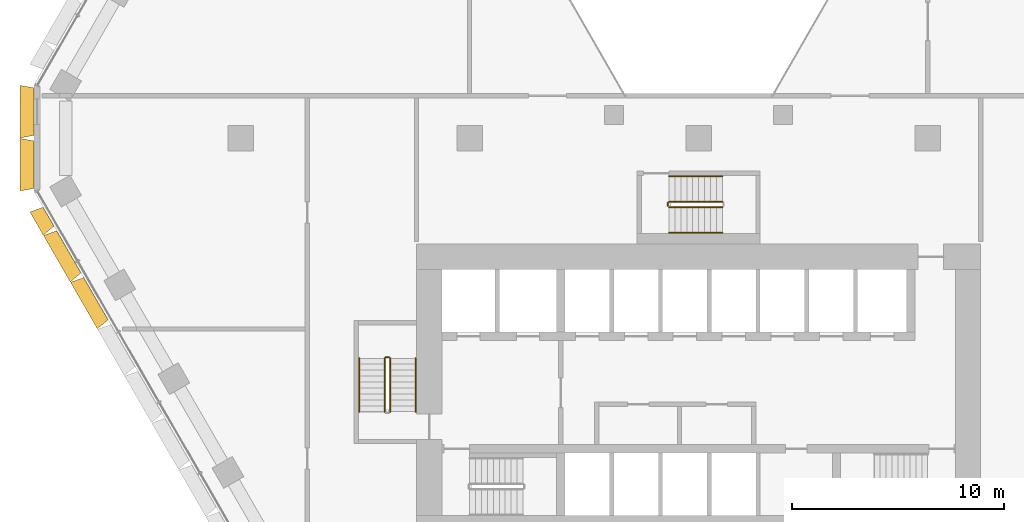
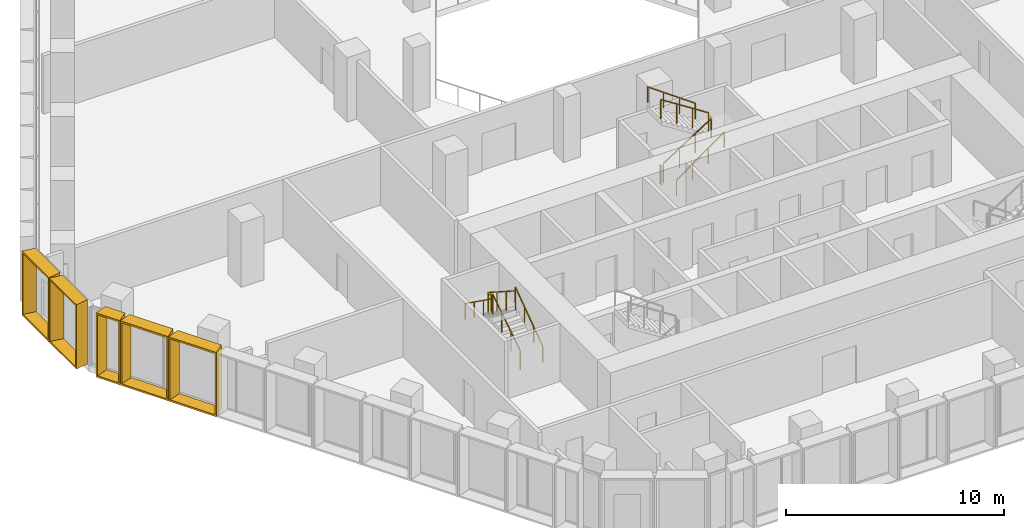
# One storey, part 20 of 22: 10 railings, 5 shading devices.
"""IFC4 building model written with IfcOpenShell, lengths in metres."""

from ifc_helpers import new_model, entity, si_unit, direction, frame, origin, origin_2d, place, context, subcontext, project, spatial, rectangle, extrude, source, transform, mapped, material, type_object, type_shapes, element, save


model = new_model("IFC4")

# Units and contexts
model_context = context("Model", 3, precision=1e-05, world=origin(), true_north=direction((0.0, 1.0)))
body_context = subcontext(model_context, "Body", "Model", "MODEL_VIEW")
ifc_project = project(units=[si_unit("LENGTHUNIT", "METRE"), si_unit("AREAUNIT", "SQUARE_METRE"), si_unit("VOLUMEUNIT", "CUBIC_METRE"), si_unit("PLANEANGLEUNIT", "RADIAN"), si_unit("MASSUNIT", "GRAM", prefix="KILO")], contexts=[model_context])

# Site, building, storey
site_placement = place(None, origin())
site = spatial("IfcSite", under=ifc_project, at=site_placement, CompositionType="ELEMENT")
building_placement = place(site_placement, origin())
building = spatial("IfcBuilding", under=site, at=building_placement, Name="Beryl Residences", CompositionType="ELEMENT")
storey_placement = place(building_placement, frame((0.0, 0.0, 12.60009765625)))
storey = spatial("IfcBuildingStorey", under=building, at=storey_placement, Name="L03", CompositionType="ELEMENT", Elevation=12.60009765625)

# Shading devices
ifc_material_1 = material(Name="Aluminium pale anodised", Category="aluminium")
shading_device_type_1 = type_object("IfcShadingDeviceType", Name="FR128-65A-H36 OUTER SKIN frame 650 mm deep, splay 10/10 deg, 1280 x 3600 mm cell", PredefinedType="USERDEFINED", material=ifc_material_1)
cartesian_point_1 = entity("IfcCartesianPoint", [-0.514892578125, 0.0])
cartesian_point_2 = entity("IfcCartesianPoint", [-0.433837890625, 0.10009765625])
cartesian_point_3 = entity("IfcCartesianPoint", [-0.629638671875, 0.0])
cartesian_point_4 = entity("IfcCartesianPoint", [-0.54833984375, 0.10009765625])
shared_shape_1 = source(origin(), body_context, "Body", "SweptSolid", [
    entity("IfcExtrudedAreaSolidTapered", entity("IfcArbitraryProfileDefWithVoids", "AREA", None, entity("IfcPolyline", [cartesian_point_1, entity("IfcCartesianPoint", [0.514892578125, 0.0]), entity("IfcCartesianPoint", [0.514892578125, 3.60009765625]), entity("IfcCartesianPoint", [-0.514892578125, 3.60009765625]), cartesian_point_1]), [entity("IfcPolyline", [cartesian_point_2, entity("IfcCartesianPoint", [0.433837890625, 0.10009765625]), entity("IfcCartesianPoint", [0.433837890625, 3.5]), entity("IfcCartesianPoint", [-0.433837890625, 3.5]), cartesian_point_2])]), entity("IfcAxis2Placement3D", entity("IfcCartesianPoint", [0.0, 0.0, 0.0]), entity("IfcDirection", [0.0, 1.0, 0.0]), entity("IfcDirection", [-1.0, 0.0, 0.0])), entity("IfcDirection", [0.0, 0.0, 1.0]), 0.64990234375, entity("IfcArbitraryProfileDefWithVoids", "AREA", None, entity("IfcPolyline", [cartesian_point_3, entity("IfcCartesianPoint", [0.629638671875, 0.0]), entity("IfcCartesianPoint", [0.629638671875, 3.60009765625]), entity("IfcCartesianPoint", [-0.629638671875, 3.60009765625]), cartesian_point_3]), [entity("IfcPolyline", [cartesian_point_4, entity("IfcCartesianPoint", [0.54833984375, 0.10009765625]), entity("IfcCartesianPoint", [0.54833984375, 3.5]), entity("IfcCartesianPoint", [-0.54833984375, 3.5]), cartesian_point_4])])),
])
type_shapes(shading_device_type_1, [shared_shape_1])
shading_device_placement = place(storey_placement, frame((-30.655029296875, -3.702880859375, 0.0), z_axis=(0.0, 0.0, 1.0), x_axis=(-0.5, 0.866025403784, 0.0)))
element("IfcShadingDevice", 1, at=shading_device_placement, inside=storey, type_object=shading_device_type_1, Name="FR128-65A-H36 frame L03 SW 1", ObjectType="OUTER SKIN", PredefinedType="USERDEFINED", context=body_context, shape_type="MappedRepresentation", body=[
    mapped(shared_shape_1, transform((0.0, 0.0, 0.0))),
])
ifc_material_2 = material(Name="Aluminium pale anodised", Category="aluminium")
shading_device_type_2 = type_object("IfcShadingDeviceType", Name="FR250-65A-H36 OUTER SKIN frame 650 mm deep, splay 10/10 deg, 2500 x 3600 mm cell", PredefinedType="USERDEFINED", material=ifc_material_2)
cartesian_point_5 = entity("IfcCartesianPoint", [-1.125, 0.0])
cartesian_point_6 = entity("IfcCartesianPoint", [-1.043701171875, 0.10009765625])
cartesian_point_7 = entity("IfcCartesianPoint", [-1.239501953125, 0.0])
cartesian_point_8 = entity("IfcCartesianPoint", [-1.158447265625, 0.10009765625])
shared_shape_2 = source(origin(), body_context, "Body", "SweptSolid", [
    entity("IfcExtrudedAreaSolidTapered", entity("IfcArbitraryProfileDefWithVoids", "AREA", None, entity("IfcPolyline", [cartesian_point_5, entity("IfcCartesianPoint", [1.125, 0.0]), entity("IfcCartesianPoint", [1.125, 3.60009765625]), entity("IfcCartesianPoint", [-1.125, 3.60009765625]), cartesian_point_5]), [entity("IfcPolyline", [cartesian_point_6, entity("IfcCartesianPoint", [1.043701171875, 0.10009765625]), entity("IfcCartesianPoint", [1.043701171875, 3.5]), entity("IfcCartesianPoint", [-1.043701171875, 3.5]), cartesian_point_6])]), entity("IfcAxis2Placement3D", entity("IfcCartesianPoint", [0.0, 0.0, 0.0]), entity("IfcDirection", [0.0, 1.0, 0.0]), entity("IfcDirection", [-1.0, 0.0, 0.0])), entity("IfcDirection", [0.0, 0.0, 1.0]), 0.64990234375, entity("IfcArbitraryProfileDefWithVoids", "AREA", None, entity("IfcPolyline", [cartesian_point_7, entity("IfcCartesianPoint", [1.239501953125, 0.0]), entity("IfcCartesianPoint", [1.239501953125, 3.60009765625]), entity("IfcCartesianPoint", [-1.239501953125, 3.60009765625]), cartesian_point_7]), [entity("IfcPolyline", [cartesian_point_8, entity("IfcCartesianPoint", [1.158447265625, 0.10009765625]), entity("IfcCartesianPoint", [1.158447265625, 3.5]), entity("IfcCartesianPoint", [-1.158447265625, 3.5]), cartesian_point_8])])),
])
type_shapes(shading_device_type_2, [shared_shape_2])
for number, where, z_axis, x_axis, name in (
    (2, (-31.35009765625, 1.25, 0.0), (0.0, 0.0, 1.0), (0.0, 1.0, 0.0), "FR250-65A-H36 frame L03 NW-SW 1"),
    (3, (-31.35009765625, -1.25, 0.0), (0.0, 0.0, 1.0), (0.0, 1.0, 0.0), "FR250-65A-H36 frame L03 NW-SW 2"),
):
    element("IfcShadingDevice", number, at=place(storey_placement, frame(where, z_axis=z_axis, x_axis=x_axis)), inside=storey, type_object=shading_device_type_2, Name=name, ObjectType="OUTER SKIN", PredefinedType="USERDEFINED", context=body_context, shape_type="MappedRepresentation", body=[
        mapped(shared_shape_2, transform((0.0, 0.0, 0.0))),
    ])
ifc_material_3 = material(Name="Aluminium pale anodised", Category="aluminium")
shading_device_type_3 = type_object("IfcShadingDeviceType", Name="FR255-65A-H36 OUTER SKIN frame 650 mm deep, splay 10/10 deg, 2550 x 3600 mm cell", PredefinedType="USERDEFINED", material=ifc_material_3)
cartesian_point_9 = entity("IfcCartesianPoint", [-1.14990234375, 0.0])
cartesian_point_10 = entity("IfcCartesianPoint", [-1.06884765625, 0.10009765625])
cartesian_point_11 = entity("IfcCartesianPoint", [-1.2646484375, 0.0])
cartesian_point_12 = entity("IfcCartesianPoint", [-1.183349609375, 0.10009765625])
shared_shape_3 = source(origin(), body_context, "Body", "SweptSolid", [
    entity("IfcExtrudedAreaSolidTapered", entity("IfcArbitraryProfileDefWithVoids", "AREA", None, entity("IfcPolyline", [cartesian_point_9, entity("IfcCartesianPoint", [1.14990234375, 0.0]), entity("IfcCartesianPoint", [1.14990234375, 3.60009765625]), entity("IfcCartesianPoint", [-1.14990234375, 3.60009765625]), cartesian_point_9]), [entity("IfcPolyline", [cartesian_point_10, entity("IfcCartesianPoint", [1.06884765625, 0.10009765625]), entity("IfcCartesianPoint", [1.06884765625, 3.5]), entity("IfcCartesianPoint", [-1.06884765625, 3.5]), cartesian_point_10])]), entity("IfcAxis2Placement3D", entity("IfcCartesianPoint", [0.0, 0.0, 0.0]), entity("IfcDirection", [0.0, 1.0, 0.0]), entity("IfcDirection", [-1.0, 0.0, 0.0])), entity("IfcDirection", [0.0, 0.0, 1.0]), 0.64990234375, entity("IfcArbitraryProfileDefWithVoids", "AREA", None, entity("IfcPolyline", [cartesian_point_11, entity("IfcCartesianPoint", [1.2646484375, 0.0]), entity("IfcCartesianPoint", [1.2646484375, 3.60009765625]), entity("IfcCartesianPoint", [-1.2646484375, 3.60009765625]), cartesian_point_11]), [entity("IfcPolyline", [cartesian_point_12, entity("IfcCartesianPoint", [1.183349609375, 0.10009765625]), entity("IfcCartesianPoint", [1.183349609375, 3.5]), entity("IfcCartesianPoint", [-1.183349609375, 3.5]), cartesian_point_12])])),
])
type_shapes(shading_device_type_3, [shared_shape_3])
for number, where, z_axis, x_axis, name in (
    (4, (-29.697998046875, -5.360107421875, 0.0), (0.0, 0.0, 1.0), (-0.5, 0.866025403784, 0.0), "FR255-65A-H36 frame L03 SW 2"),
    (5, (-28.422119140625, -7.570068359375, 0.0), (0.0, 0.0, 1.0), (-0.5, 0.866025403784, 0.0), "FR255-65A-H36 frame L03 SW 3"),
):
    element("IfcShadingDevice", number, at=place(storey_placement, frame(where, z_axis=z_axis, x_axis=x_axis)), inside=storey, type_object=shading_device_type_3, Name=name, ObjectType="OUTER SKIN", PredefinedType="USERDEFINED", context=body_context, shape_type="MappedRepresentation", body=[
        mapped(shared_shape_3, transform((0.0, 0.0, 0.0))),
    ])

# Railings
ifc_material_4 = material(Name="Stainless steel balustrade with glass infill", Category="steel")
railing_type_1 = type_object("IfcRailingType", Name="SG1 stair guard 1100 mm", PredefinedType="GUARDRAIL", material=ifc_material_4)
railing_1_placement = place(storey_placement, frame((-14.550048828125, -12.89990234375, 0.179931640625)))
element("IfcRailing", 6, at=railing_1_placement, inside=storey, type_object=railing_type_1, Name="L03 ST-2 stair guard 1", PredefinedType="GUARDRAIL", context=body_context, shape_type="SweptSolid", body=[
    extrude(rectangle(XDim=0.048095703125, YDim=0.048095703125, at=origin_2d()), frame((0.0, 0.0, 1.076171875), z_axis=(0.0, 0.841199657755, 0.540724639528), x_axis=(-1.0, 0.0, 0.0)), (0.0, 0.0, 1.0), 2.995849609375),
    extrude(rectangle(XDim=0.0419921875, YDim=0.0419921875, at=origin_2d()), origin(), (0.0, 0.0, 1.0), 1.052001953125),
    extrude(rectangle(XDim=0.0419921875, YDim=0.0419921875, at=origin_2d()), frame((0.0, 0.840087890625, 0.5400390625)), (0.0, 0.0, 1.0), 1.052001953125),
    extrude(rectangle(XDim=0.0419921875, YDim=0.0419921875, at=origin_2d()), frame((0.0, 1.679931640625, 1.079833984375)), (0.0, 0.0, 1.0), 1.052001953125),
    extrude(rectangle(XDim=0.0419921875, YDim=0.0419921875, at=origin_2d()), frame((0.0, 2.52001953125, 1.619873046875)), (0.0, 0.0, 1.0), 1.052001953125),
])
railing_2_placement = place(storey_placement, frame((-14.60009765625, -10.330078125, 1.7998046875)))
element("IfcRailing", 7, at=railing_2_placement, inside=storey, type_object=railing_type_1, Name="L03 ST-2 stair guard 2", PredefinedType="GUARDRAIL", context=body_context, shape_type="SweptSolid", body=[
    extrude(rectangle(XDim=0.048095703125, YDim=0.048095703125, at=origin_2d()), frame((0.0, 0.0, 1.076171875), z_axis=(-1.0, 0.0, 0.0), x_axis=(0.0, -1.0, 0.0)), (0.0, 0.0, 1.0), 0.14990234375),
    extrude(rectangle(XDim=0.0419921875, YDim=0.0419921875, at=origin_2d()), origin(), (0.0, 0.0, 1.0), 1.052001953125),
    extrude(rectangle(XDim=0.0419921875, YDim=0.0419921875, at=origin_2d()), frame((-0.14990234375, 0.0, 0.0)), (0.0, 0.0, 1.0), 1.052001953125),
])
railing_3_placement = place(storey_placement, frame((-14.800048828125, -10.3798828125, 1.97998046875)))
element("IfcRailing", 8, at=railing_3_placement, inside=storey, type_object=railing_type_1, Name="L03 ST-2 stair guard 3", PredefinedType="GUARDRAIL", context=body_context, shape_type="SweptSolid", body=[
    extrude(rectangle(XDim=0.048095703125, YDim=0.048095703125, at=origin_2d()), frame((0.0, 0.0, 1.076171875), z_axis=(0.0, -0.841199657755, 0.540724639528), x_axis=(1.0, 0.0, 0.0)), (0.0, 0.0, 1.0), 2.995849609375),
    extrude(rectangle(XDim=0.0419921875, YDim=0.0419921875, at=origin_2d()), origin(), (0.0, 0.0, 1.0), 1.052001953125),
    extrude(rectangle(XDim=0.0419921875, YDim=0.0419921875, at=origin_2d()), frame((0.0, -0.840087890625, 0.5400390625)), (0.0, 0.0, 1.0), 1.052001953125),
    extrude(rectangle(XDim=0.0419921875, YDim=0.0419921875, at=origin_2d()), frame((0.0, -1.679931640625, 1.079833984375)), (0.0, 0.0, 1.0), 1.052001953125),
    extrude(rectangle(XDim=0.0419921875, YDim=0.0419921875, at=origin_2d()), frame((0.0, -2.52001953125, 1.619873046875)), (0.0, 0.0, 1.0), 1.052001953125),
])
railing_4_placement = place(storey_placement, frame((-1.39990234375, -3.25, 0.179931640625)))
element("IfcRailing", 9, at=railing_4_placement, inside=storey, type_object=railing_type_1, Name="L03 ST-4 stair guard 1", PredefinedType="GUARDRAIL", context=body_context, shape_type="SweptSolid", body=[
    extrude(rectangle(XDim=0.048095703125, YDim=0.048095703125, at=origin_2d()), frame((0.0, 0.0, 1.076171875), z_axis=(0.841199657755, 0.0, 0.540724639528), x_axis=(0.0, 1.0, 0.0)), (0.0, 0.0, 1.0), 2.995849609375),
    extrude(rectangle(XDim=0.0419921875, YDim=0.0419921875, at=origin_2d()), origin(), (0.0, 0.0, 1.0), 1.052001953125),
    extrude(rectangle(XDim=0.0419921875, YDim=0.0419921875, at=origin_2d()), frame((0.840087890625, 0.0, 0.5400390625)), (0.0, 0.0, 1.0), 1.052001953125),
    extrude(rectangle(XDim=0.0419921875, YDim=0.0419921875, at=origin_2d()), frame((1.679931640625, 0.0, 1.079833984375)), (0.0, 0.0, 1.0), 1.052001953125),
    extrude(rectangle(XDim=0.0419921875, YDim=0.0419921875, at=origin_2d()), frame((2.52001953125, 0.0, 1.619873046875)), (0.0, 0.0, 1.0), 1.052001953125),
])
railing_5_placement = place(storey_placement, frame((1.1201171875, -3.0, 1.97998046875)))
element("IfcRailing", 10, at=railing_5_placement, inside=storey, type_object=railing_type_1, Name="L03 ST-4 stair guard 3", PredefinedType="GUARDRAIL", context=body_context, shape_type="SweptSolid", body=[
    extrude(rectangle(XDim=0.048095703125, YDim=0.048095703125, at=origin_2d()), frame((0.0, 0.0, 1.076171875), z_axis=(-0.841199657755, 0.0, 0.540724639528), x_axis=(0.0, -1.0, 0.0)), (0.0, 0.0, 1.0), 2.995849609375),
    extrude(rectangle(XDim=0.0419921875, YDim=0.0419921875, at=origin_2d()), origin(), (0.0, 0.0, 1.0), 1.052001953125),
    extrude(rectangle(XDim=0.0419921875, YDim=0.0419921875, at=origin_2d()), frame((-0.840087890625, 0.0, 0.5400390625)), (0.0, 0.0, 1.0), 1.052001953125),
    extrude(rectangle(XDim=0.0419921875, YDim=0.0419921875, at=origin_2d()), frame((-1.679931640625, 0.0, 1.079833984375)), (0.0, 0.0, 1.0), 1.052001953125),
    extrude(rectangle(XDim=0.0419921875, YDim=0.0419921875, at=origin_2d()), frame((-2.52001953125, 0.0, 1.619873046875)), (0.0, 0.0, 1.0), 1.052001953125),
])
railing_6_placement = place(storey_placement, frame((-1.449951171875, -3.199951171875, 0.0)))
element("IfcRailing", 11, at=railing_6_placement, inside=storey, type_object=railing_type_1, Name="L03 ST-4 stair guard 4", PredefinedType="GUARDRAIL", context=body_context, shape_type="SweptSolid", body=[
    extrude(rectangle(XDim=0.048095703125, YDim=0.048095703125, at=origin_2d()), frame((0.0, 0.0, 1.076171875), z_axis=(0.0, 1.0, 0.0), x_axis=(-1.0, 0.0, 0.0)), (0.0, 0.0, 1.0), 0.14990234375),
    extrude(rectangle(XDim=0.0419921875, YDim=0.0419921875, at=origin_2d()), origin(), (0.0, 0.0, 1.0), 1.052001953125),
    extrude(rectangle(XDim=0.0419921875, YDim=0.0419921875, at=origin_2d()), frame((0.0, 0.14990234375, 0.0)), (0.0, 0.0, 1.0), 1.052001953125),
])
ifc_material_5 = material(Name="Stainless steel handrail", Category="steel")
railing_type_2 = type_object("IfcRailingType", Name="SRL1 stair handrail 900 mm", PredefinedType="HANDRAIL", material=ifc_material_5)
railing_7_placement = place(storey_placement, frame((-13.35009765625, -12.89990234375, 0.179931640625)))
element("IfcRailing", 12, at=railing_7_placement, inside=storey, type_object=railing_type_2, Name="L03 ST-2 stair handrail 1", PredefinedType="HANDRAIL", context=body_context, shape_type="SweptSolid", body=[
    extrude(rectangle(XDim=0.048095703125, YDim=0.048095703125, at=origin_2d()), frame((0.0, 0.0, 0.8759765625), z_axis=(0.0, 0.813728144527, 0.581245650998), x_axis=(-1.0, 0.0, 0.0)), (0.0, 0.0, 1.0), 3.096923828125),
    extrude(rectangle(XDim=0.0419921875, YDim=0.0419921875, at=origin_2d()), origin(), (0.0, 0.0, 1.0), 0.851806640625),
    extrude(rectangle(XDim=0.0419921875, YDim=0.0419921875, at=origin_2d()), frame((0.0, 0.840087890625, 0.60009765625)), (0.0, 0.0, 1.0), 0.851806640625),
    extrude(rectangle(XDim=0.0419921875, YDim=0.0419921875, at=origin_2d()), frame((0.0, 1.679931640625, 1.199951171875)), (0.0, 0.0, 1.0), 0.851806640625),
    extrude(rectangle(XDim=0.0419921875, YDim=0.0419921875, at=origin_2d()), frame((0.0, 2.52001953125, 1.800048828125)), (0.0, 0.0, 1.0), 0.851806640625),
])
railing_8_placement = place(storey_placement, frame((-16.0, -10.3798828125, 1.97998046875)))
element("IfcRailing", 13, at=railing_8_placement, inside=storey, type_object=railing_type_2, Name="L03 ST-2 stair handrail 2", PredefinedType="HANDRAIL", context=body_context, shape_type="SweptSolid", body=[
    extrude(rectangle(XDim=0.048095703125, YDim=0.048095703125, at=origin_2d()), frame((0.0, 0.0, 0.8759765625), z_axis=(0.0, -0.813765431312, 0.581193446971), x_axis=(1.0, 0.0, 0.0)), (0.0, 0.0, 1.0), 3.0966796875),
    extrude(rectangle(XDim=0.0419921875, YDim=0.0419921875, at=origin_2d()), origin(), (0.0, 0.0, 1.0), 0.851806640625),
    extrude(rectangle(XDim=0.0419921875, YDim=0.0419921875, at=origin_2d()), frame((0.0, -0.840087890625, 0.599853515625)), (0.0, 0.0, 1.0), 0.851806640625),
    extrude(rectangle(XDim=0.0419921875, YDim=0.0419921875, at=origin_2d()), frame((0.0, -1.679931640625, 1.199951171875)), (0.0, 0.0, 1.0), 0.851806640625),
    extrude(rectangle(XDim=0.0419921875, YDim=0.0419921875, at=origin_2d()), frame((0.0, -2.52001953125, 1.7998046875)), (0.0, 0.0, 1.0), 0.851806640625),
])
railing_9_placement = place(storey_placement, frame((-1.39990234375, -4.449951171875, 0.179931640625)))
element("IfcRailing", 14, at=railing_9_placement, inside=storey, type_object=railing_type_2, Name="L03 ST-4 stair handrail 1", PredefinedType="HANDRAIL", context=body_context, shape_type="SweptSolid", body=[
    extrude(rectangle(XDim=0.048095703125, YDim=0.048095703125, at=origin_2d()), frame((0.0, 0.0, 0.8759765625), z_axis=(0.813728144527, 0.0, 0.581245650998), x_axis=(0.0, 1.0, 0.0)), (0.0, 0.0, 1.0), 3.096923828125),
    extrude(rectangle(XDim=0.0419921875, YDim=0.0419921875, at=origin_2d()), origin(), (0.0, 0.0, 1.0), 0.851806640625),
    extrude(rectangle(XDim=0.0419921875, YDim=0.0419921875, at=origin_2d()), frame((0.840087890625, 0.0, 0.60009765625)), (0.0, 0.0, 1.0), 0.851806640625),
    extrude(rectangle(XDim=0.0419921875, YDim=0.0419921875, at=origin_2d()), frame((1.679931640625, 0.0, 1.199951171875)), (0.0, 0.0, 1.0), 0.851806640625),
    extrude(rectangle(XDim=0.0419921875, YDim=0.0419921875, at=origin_2d()), frame((2.52001953125, 0.0, 1.800048828125)), (0.0, 0.0, 1.0), 0.851806640625),
])
railing_10_placement = place(storey_placement, frame((1.1201171875, -1.800048828125, 1.97998046875)))
element("IfcRailing", 15, at=railing_10_placement, inside=storey, type_object=railing_type_2, Name="L03 ST-4 stair handrail 2", PredefinedType="HANDRAIL", context=body_context, shape_type="SweptSolid", body=[
    extrude(rectangle(XDim=0.048095703125, YDim=0.048095703125, at=origin_2d()), frame((0.0, 0.0, 0.8759765625), z_axis=(-0.813765431312, 0.0, 0.581193446971), x_axis=(0.0, -1.0, 0.0)), (0.0, 0.0, 1.0), 3.0966796875),
    extrude(rectangle(XDim=0.0419921875, YDim=0.0419921875, at=origin_2d()), origin(), (0.0, 0.0, 1.0), 0.851806640625),
    extrude(rectangle(XDim=0.0419921875, YDim=0.0419921875, at=origin_2d()), frame((-0.840087890625, 0.0, 0.599853515625)), (0.0, 0.0, 1.0), 0.851806640625),
    extrude(rectangle(XDim=0.0419921875, YDim=0.0419921875, at=origin_2d()), frame((-1.679931640625, 0.0, 1.199951171875)), (0.0, 0.0, 1.0), 0.851806640625),
    extrude(rectangle(XDim=0.0419921875, YDim=0.0419921875, at=origin_2d()), frame((-2.52001953125, 0.0, 1.7998046875)), (0.0, 0.0, 1.0), 0.851806640625),
])

save(model, "model.ifc")
